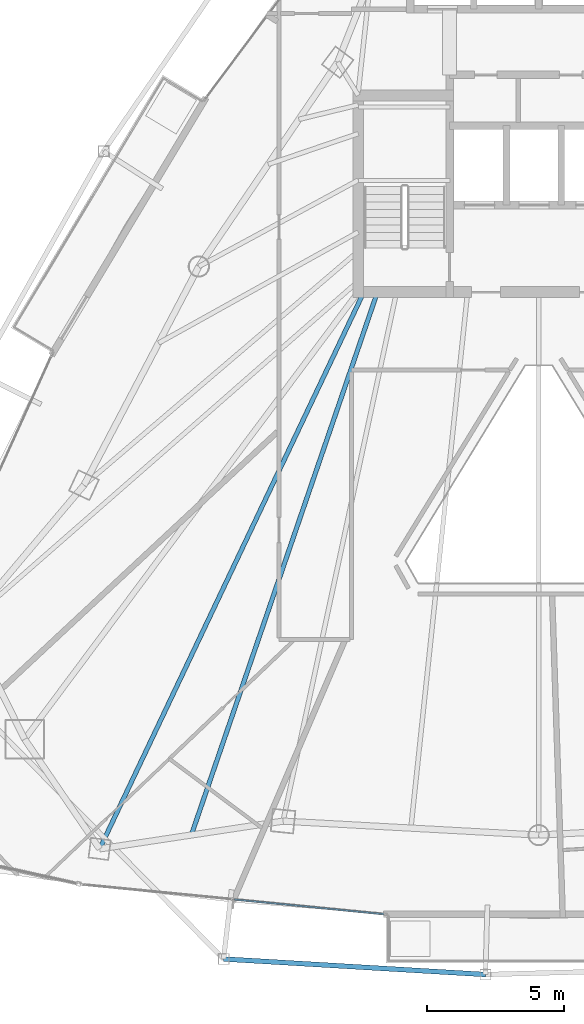
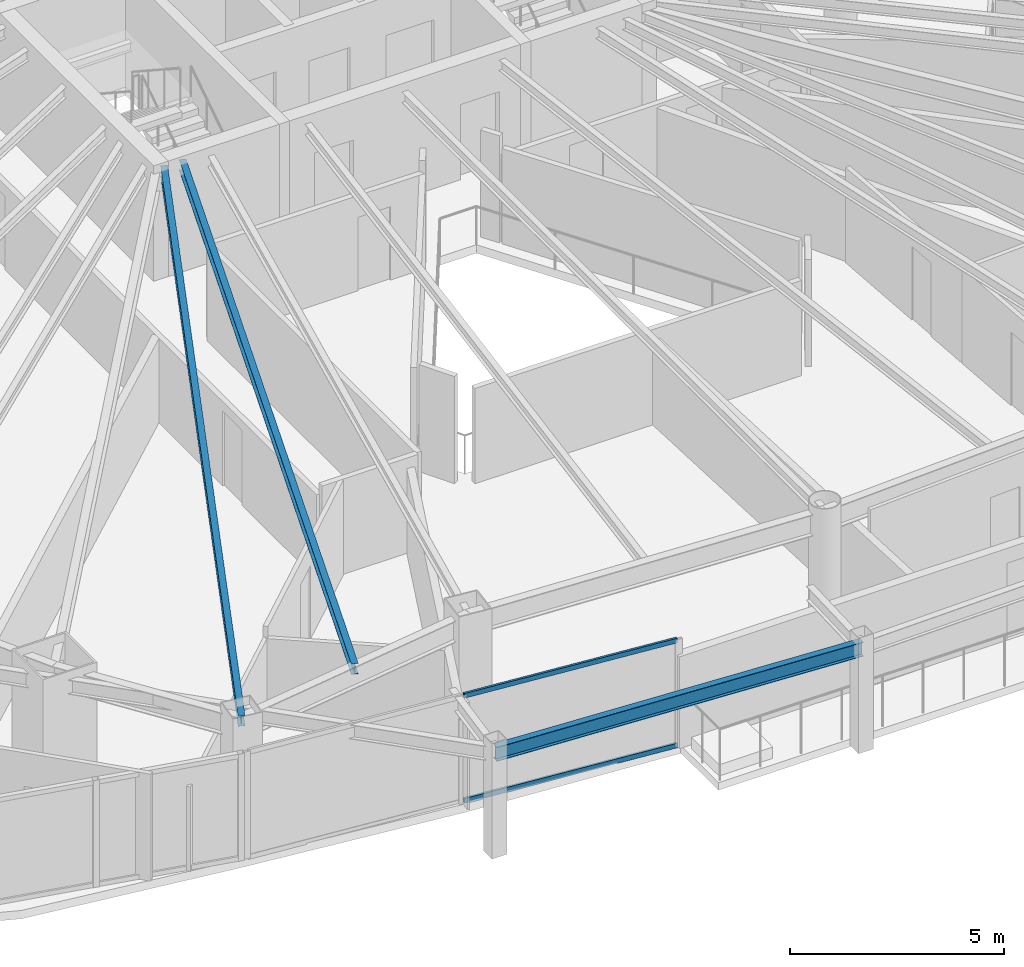
# One storey, part 6 of 29: 3 beams, 2 members, 1 element without a shape of its own.
"""IFC4 building model written with IfcOpenShell, lengths in metres."""

from ifc_helpers import new_model, si_unit, direction, frame, origin, origin_2d, place, context, subcontext, project, spatial, hollow_rectangle, i_section, extrude, material, layer, layer_set, material_profile, profile_set, type_object, element, aggregate, save


model = new_model("IFC4")

# Units and contexts
model_context = context("Model", 3, precision=1e-05, world=origin(), true_north=direction((0.0, 1.0)))
body_context = subcontext(model_context, "Body", "Model", "MODEL_VIEW")
ifc_project = project(units=[si_unit("LENGTHUNIT", "METRE"), si_unit("AREAUNIT", "SQUARE_METRE"), si_unit("VOLUMEUNIT", "CUBIC_METRE"), si_unit("PLANEANGLEUNIT", "RADIAN"), si_unit("MASSUNIT", "GRAM", prefix="KILO")], contexts=[model_context])

# Site, building, storey
site_placement = place(None, origin())
site = spatial("IfcSite", under=ifc_project, at=site_placement, CompositionType="ELEMENT")
building_placement = place(site_placement, origin())
building = spatial("IfcBuilding", under=site, at=building_placement, Name="Orvanel Arch Residences", CompositionType="ELEMENT")
storey_placement = place(building_placement, frame((0.0, 0.0, 173.75)))
storey = spatial("IfcBuildingStorey", under=building, at=storey_placement, Name="L49", CompositionType="ELEMENT", Elevation=173.75)

# Beams
ifc_material_1 = material(Name="Structural steel AS/NZS 3679.1 Grade 300 (300 MPa)", Category="steel")
ifc_material_profile_1 = material_profile(ifc_material_1, i_section(OverallWidth=0.1650390625, OverallDepth=0.303955078125, WebThickness=0.006103515625, FlangeThickness=0.01025390625, at=origin_2d()), Name="310UB40.4")
ifc_profile_set_1 = profile_set([ifc_material_profile_1], Name="Structural steel AS/NZS 3679.1 Grade 300 (300 MPa)")
beam_type_1 = type_object("IfcBeamType", Name="BJ-310UB", PredefinedType="JOIST", material=ifc_profile_set_1)
beam_1_placement = place(storey_placement, frame((26.60009765625, 26.699951171875, 2.907958984375), z_axis=(-0.428614365266, -0.903487534993, 0.0), x_axis=(0.903487534993, -0.428614365266, 0.0)))
element("IfcBeam", 1, at=beam_1_placement, inside=storey, type_object=beam_type_1, Name="L49 MSW Wing Floor Joist", PredefinedType="JOIST", context=body_context, shape_type="SweptSolid", body=[
    extrude(i_section(OverallWidth=0.1650390625, OverallDepth=0.303955078125, WebThickness=0.006103515625, FlangeThickness=0.01025390625, at=origin_2d()), origin(), (0.0, 0.0, 1.0), 22.535888671875),
])
beam_2_placement = place(storey_placement, frame((27.10009765625, 26.699951171875, 2.907958984375), z_axis=(-0.324257108963, -0.945968988544, 0.0), x_axis=(0.945968988544, -0.324257108963, 0.0)))
element("IfcBeam", 2, at=beam_2_placement, inside=storey, type_object=beam_type_1, Name="L49 JADD1 Wing Floor Joist", PredefinedType="JOIST", context=body_context, shape_type="SweptSolid", body=[
    extrude(i_section(OverallWidth=0.1650390625, OverallDepth=0.303955078125, WebThickness=0.006103515625, FlangeThickness=0.01025390625, at=origin_2d()), origin(), (0.0, 0.0, 1.0), 20.987060546875),
])
ifc_material_profile_2 = material_profile(ifc_material_1, i_section(OverallWidth=0.177978515625, OverallDepth=0.406005859375, WebThickness=0.0078125, FlangeThickness=0.0126953125, at=origin_2d()), Name="410UB59.7")
ifc_profile_set_2 = profile_set([ifc_material_profile_2], Name="Structural steel AS/NZS 3679.1 Grade 300 (300 MPa)")
beam_type_2 = type_object("IfcBeamType", Name="OB-410UB-EXT", PredefinedType="SPANDREL", material=ifc_profile_set_2)
beam_3_placement = place(storey_placement, frame((21.472900390625, 2.31201171875, 2.85693359375), z_axis=(0.998246276367, -0.059197734075, 0.0), x_axis=(0.059197734075, 0.998246276367, 0.0)))
element("IfcBeam", 3, at=beam_3_placement, inside=storey, type_object=beam_type_2, Name="L49 Outer Perimeter Floor Ring Beam 05", PredefinedType="SPANDREL", context=body_context, shape_type="SweptSolid", body=[
    extrude(i_section(OverallWidth=0.177978515625, OverallDepth=0.406005859375, WebThickness=0.0078125, FlangeThickness=0.0126953125, at=origin_2d()), origin(), (0.0, 0.0, 1.0), 9.596923828125),
])

# Curtain wall, members
ifc_material_2 = material(Name="Bronze-anodised aluminium AA6063-T6", Category="aluminium")
ifc_layer = layer(ifc_material_2, 0.179931640625)
ifc_layer_set = layer_set([ifc_layer], Name="Bronze-anodised aluminium AA6063-T6")
curtain_wall_type = type_object("IfcCurtainWallType", Name="CW3-MID-SYS", PredefinedType="NOTDEFINED", material=ifc_layer_set)
curtain_wall_placement = place(storey_placement, origin())
curtain_wall = element("IfcCurtainWall", 4, at=curtain_wall_placement, inside=storey, type_object=curtain_wall_type, Name="L49 CW3-MID-SYS Unitised Curtain Wall", PredefinedType="NOTDEFINED")
ifc_material_profile_3 = material_profile(ifc_material_2, hollow_rectangle(XDim=0.06005859375, YDim=0.135009765625, WallThickness=0.00390625, at=origin_2d()), Name="ALU135x60x4")
ifc_profile_set_3 = profile_set([ifc_material_profile_3], Name="Bronze-anodised aluminium AA6063-T6")
member_type = type_object("IfcMemberType", Name="TRN-135x60", PredefinedType="USERDEFINED", material=ifc_profile_set_3)
member_1_placement = place(storey_placement, frame((21.87841796875, 4.488037109375, 0.030029296875), z_axis=(0.995237597391, -0.097478842522, 0.0), x_axis=(0.097478842522, 0.995237597391, 0.0)))
member_1 = element("IfcMember", 5, at=member_1_placement, type_object=member_type, Name="CW-S3 transom 2.1", ObjectType="TRANSOM", PredefinedType="USERDEFINED", context=body_context, shape_type="SweptSolid", body=[
    extrude(hollow_rectangle(XDim=0.06005859375, YDim=0.135009765625, WallThickness=0.00390625, at=origin_2d()), origin(), (0.0, 0.0, 1.0), 5.47998046875),
])
member_2_placement = place(storey_placement, frame((21.87841796875, 4.488037109375, 3.030029296875), z_axis=(0.995237597391, -0.097478842522, 0.0), x_axis=(0.097478842522, 0.995237597391, 0.0)))
member_2 = element("IfcMember", 6, at=member_2_placement, type_object=member_type, Name="CW-S3 transom 2.2", ObjectType="TRANSOM", PredefinedType="USERDEFINED", context=body_context, shape_type="SweptSolid", body=[
    extrude(hollow_rectangle(XDim=0.06005859375, YDim=0.135009765625, WallThickness=0.00390625, at=origin_2d()), origin(), (0.0, 0.0, 1.0), 5.47998046875),
])
aggregate(curtain_wall, [member_1, member_2])

save(model, "model.ifc")
